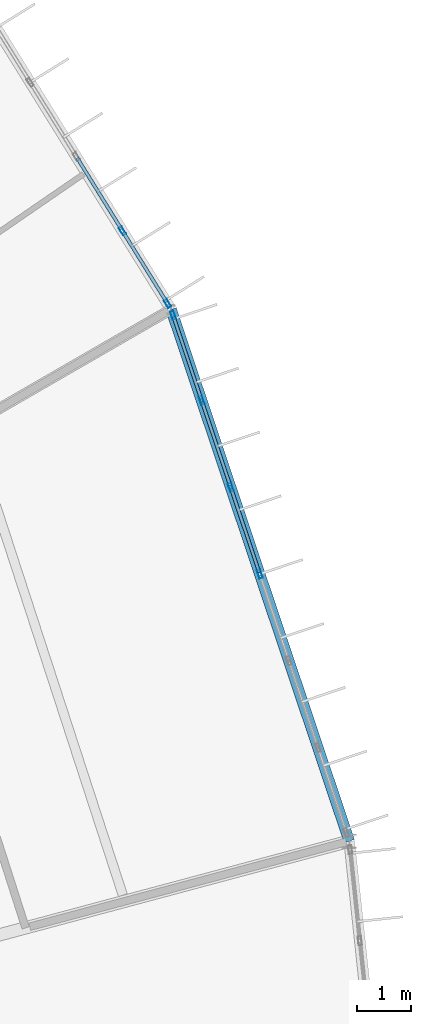
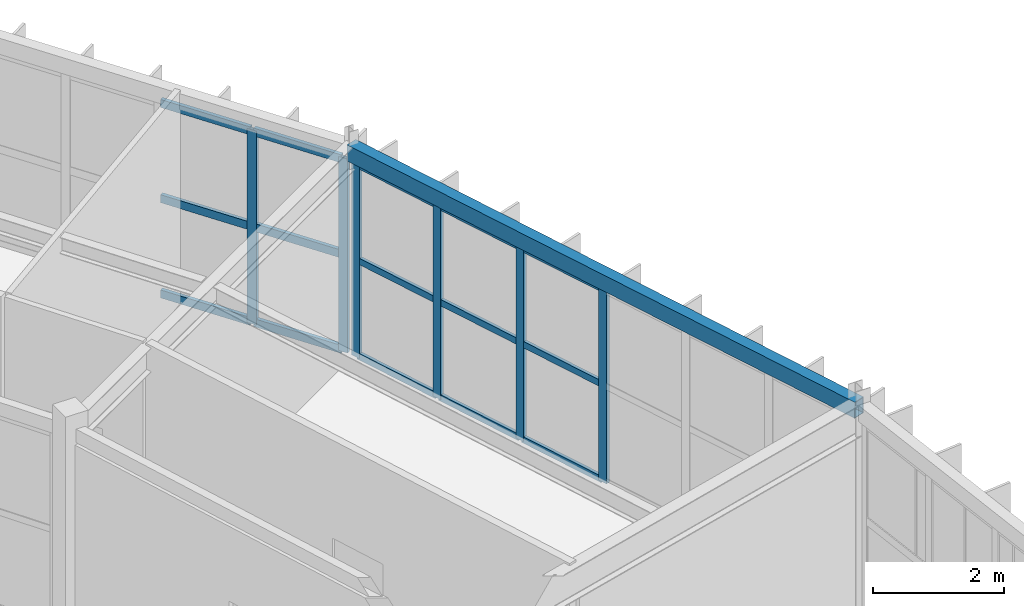
# One storey, part 77 of 134: 21 members, 1 beam, 2 elements without a shape of their own.
"""IFC4 building model written with IfcOpenShell, lengths in metres."""

from ifc_helpers import new_model, si_unit, direction, frame, origin, origin_2d, place, context, subcontext, project, spatial, hollow_rectangle, extrude, material, material_profile, profile_set, type_object, element, aggregate, save


model = new_model("IFC4")

# Units and contexts
model_context = context("Model", 3, precision=1e-05, world=origin(), true_north=direction((0.0, 1.0)))
body_context = subcontext(model_context, "Body", "Model", "MODEL_VIEW")
ifc_project = project(units=[si_unit("LENGTHUNIT", "METRE"), si_unit("AREAUNIT", "SQUARE_METRE"), si_unit("VOLUMEUNIT", "CUBIC_METRE"), si_unit("PLANEANGLEUNIT", "RADIAN"), si_unit("MASSUNIT", "GRAM", prefix="KILO")], contexts=[model_context])

# Site, building, storey
site_placement = place(None, origin())
site = spatial("IfcSite", under=ifc_project, at=site_placement, CompositionType="ELEMENT")
building_placement = place(site_placement, origin())
building = spatial("IfcBuilding", under=site, at=building_placement, Name="Karori Crest Natural Sciences Institute", CompositionType="ELEMENT")
storey_placement = place(building_placement, frame((0.0, 0.0, 21.699951171875)))
storey = spatial("IfcBuildingStorey", under=building, at=storey_placement, Name="L05", CompositionType="ELEMENT", Elevation=21.699951171875)

# Beam
ifc_material_1 = material(Name="Hollow structural steel AS/NZS 1163 Grade C350", Category="steel")
ifc_material_profile_1 = material_profile(ifc_material_1, hollow_rectangle(XDim=0.199951171875, YDim=0.300048828125, WallThickness=0.010009765625, at=origin_2d()), Name="RHS300x200x10")
ifc_profile_set_1 = profile_set([ifc_material_profile_1], Name="Hollow structural steel AS/NZS 1163 Grade C350")
beam_type = type_object("IfcBeamType", Name="BT-15", PredefinedType="SPANDREL", material=ifc_profile_set_1)
beam_placement = place(storey_placement, frame((98.275634765625, 60.459716796875, 3.7900390625), z_axis=(-0.317681238028, 0.948197569605, 0.0), x_axis=(-0.948197569605, -0.317681238028, 0.0)))
element("IfcBeam", 1, at=beam_placement, inside=storey, type_object=beam_type, Name="Beam B-0543", PredefinedType="SPANDREL", context=body_context, shape_type="SweptSolid", body=[
    extrude(hollow_rectangle(XDim=0.199951171875, YDim=0.300048828125, WallThickness=0.010009765625, at=origin_2d()), origin(), (0.0, 0.0, 1.0), 10.3779296875),
])

# Curtain wall, members
ifc_material_2 = material(Name="Anodised architectural aluminium 6063-T6", Category="aluminium")
curtain_wall_type_1 = type_object("IfcCurtainWallType", Name="CWT-02", PredefinedType="NOTDEFINED", material=ifc_material_2)
curtain_wall_1_placement = place(storey_placement, origin())
curtain_wall_1 = element("IfcCurtainWall", 2, at=curtain_wall_1_placement, inside=storey, type_object=curtain_wall_type_1, Name="Curtain wall CW-0174", PredefinedType="NOTDEFINED")
ifc_material_profile_2 = material_profile(ifc_material_2, hollow_rectangle(XDim=0.06494140625, YDim=0.159912109375, WallThickness=0.00390625, at=origin_2d()), Name="CWM160x65x4")
ifc_profile_set_2 = profile_set([ifc_material_profile_2], Name="Anodised architectural aluminium 6063-T6")
member_type_1 = type_object("IfcMemberType", Name="CWM-01", PredefinedType="MULLION", material=ifc_profile_set_2)
member_1_placement = place(storey_placement, frame((95.015625, 70.190185546875, 0.0), z_axis=(0.0, 0.0, 1.0), x_axis=(0.94819805026, 0.317679803392, 0.0)))
member_1 = element("IfcMember", 3, at=member_1_placement, type_object=member_type_1, Name="CW-0174 mullion 1", PredefinedType="MULLION", context=body_context, shape_type="SweptSolid", body=[
    extrude(hollow_rectangle(XDim=0.06494140625, YDim=0.159912109375, WallThickness=0.00390625, at=origin_2d()), origin(), (0.0, 0.0, 1.0), 3.625),
])
member_2_placement = place(storey_placement, frame((95.54345703125, 68.614990234375, 0.0), z_axis=(0.0, 0.0, 1.0), x_axis=(0.94819805026, 0.317679803392, 0.0)))
member_2 = element("IfcMember", 4, at=member_2_placement, type_object=member_type_1, Name="CW-0174 mullion 2", PredefinedType="MULLION", context=body_context, shape_type="SweptSolid", body=[
    extrude(hollow_rectangle(XDim=0.06494140625, YDim=0.159912109375, WallThickness=0.00390625, at=origin_2d()), origin(), (0.0, 0.0, 1.0), 3.625),
])
member_3_placement = place(storey_placement, frame((96.08154296875, 67.0087890625, 0.0), z_axis=(0.0, 0.0, 1.0), x_axis=(0.94819805026, 0.317679803392, 0.0)))
member_3 = element("IfcMember", 5, at=member_3_placement, type_object=member_type_1, Name="CW-0174 mullion 3", PredefinedType="MULLION", context=body_context, shape_type="SweptSolid", body=[
    extrude(hollow_rectangle(XDim=0.06494140625, YDim=0.159912109375, WallThickness=0.00390625, at=origin_2d()), origin(), (0.0, 0.0, 1.0), 3.625),
])
member_4_placement = place(storey_placement, frame((96.619384765625, 65.40283203125, 0.0), z_axis=(0.0, 0.0, 1.0), x_axis=(0.94819805026, 0.317679803392, 0.0)))
member_4 = element("IfcMember", 6, at=member_4_placement, type_object=member_type_1, Name="CW-0174 mullion 4", PredefinedType="MULLION", context=body_context, shape_type="SweptSolid", body=[
    extrude(hollow_rectangle(XDim=0.06494140625, YDim=0.159912109375, WallThickness=0.00390625, at=origin_2d()), origin(), (0.0, 0.0, 1.0), 3.625),
])

curtain_wall_type_2 = type_object("IfcCurtainWallType", Name="CWT-03", PredefinedType="NOTDEFINED", material=ifc_material_2)
curtain_wall_2_placement = place(storey_placement, origin())
curtain_wall_2 = element("IfcCurtainWall", 7, at=curtain_wall_2_placement, inside=storey, type_object=curtain_wall_type_2, Name="Curtain wall CW-0175", PredefinedType="NOTDEFINED")
member_5_placement = place(storey_placement, frame((94.076904296875, 71.7529296875, 0.0), z_axis=(0.0, 0.0, 1.0), x_axis=(0.849661985715, 0.527327706489, 0.0)))
member_5 = element("IfcMember", 8, at=member_5_placement, type_object=member_type_1, Name="CW-0175 mullion 6", PredefinedType="MULLION", context=body_context, shape_type="SweptSolid", body=[
    extrude(hollow_rectangle(XDim=0.06494140625, YDim=0.159912109375, WallThickness=0.00390625, at=origin_2d()), origin(), (0.0, 0.0, 1.0), 3.625),
])
member_6_placement = place(storey_placement, frame((94.912353515625, 70.406982421875, 0.0), z_axis=(0.0, 0.0, 1.0), x_axis=(0.849661985715, 0.527327706489, 0.0)))
member_6 = element("IfcMember", 9, at=member_6_placement, type_object=member_type_1, Name="CW-0175 mullion 7", PredefinedType="MULLION", context=body_context, shape_type="SweptSolid", body=[
    extrude(hollow_rectangle(XDim=0.06494140625, YDim=0.159912109375, WallThickness=0.00390625, at=origin_2d()), origin(), (0.0, 0.0, 1.0), 3.625),
])

# Member
ifc_material_profile_3 = material_profile(ifc_material_2, hollow_rectangle(XDim=0.06005859375, YDim=0.1201171875, WallThickness=0.00390625, at=origin_2d()), Name="CWT120x60x4")
ifc_profile_set_3 = profile_set([ifc_material_profile_3], Name="Anodised architectural aluminium 6063-T6")
member_type_2 = type_object("IfcMemberType", Name="CWT-TR1", PredefinedType="USERDEFINED", material=ifc_profile_set_3)
member_7_placement = place(storey_placement, frame((95.02587890625, 70.1591796875, 0.030029296875), z_axis=(0.317695793379, -0.9481926929, 0.0), x_axis=(0.9481926929, 0.317695793379, 0.0)))
member_7 = element("IfcMember", 10, at=member_7_placement, type_object=member_type_2, Name="CW-0174 transom 1.1", ObjectType="TRANSOM", PredefinedType="USERDEFINED", context=body_context, shape_type="SweptSolid", body=[
    extrude(hollow_rectangle(XDim=0.06005859375, YDim=0.1201171875, WallThickness=0.00390625, at=origin_2d()), origin(), (0.0, 0.0, 1.0), 1.59619140625),
])

member_8_placement = place(storey_placement, frame((95.02587890625, 70.1591796875, 1.8125), z_axis=(0.317695793379, -0.9481926929, 0.0), x_axis=(0.9481926929, 0.317695793379, 0.0)))
member_8 = element("IfcMember", 11, at=member_8_placement, type_object=member_type_2, Name="CW-0174 transom 1.2", ObjectType="TRANSOM", PredefinedType="USERDEFINED", context=body_context, shape_type="SweptSolid", body=[
    extrude(hollow_rectangle(XDim=0.06005859375, YDim=0.1201171875, WallThickness=0.00390625, at=origin_2d()), origin(), (0.0, 0.0, 1.0), 1.59619140625),
])

member_9_placement = place(storey_placement, frame((95.02587890625, 70.1591796875, 3.594970703125), z_axis=(0.317695793379, -0.9481926929, 0.0), x_axis=(0.9481926929, 0.317695793379, 0.0)))
member_9 = element("IfcMember", 12, at=member_9_placement, type_object=member_type_2, Name="CW-0174 transom 1.3", ObjectType="TRANSOM", PredefinedType="USERDEFINED", context=body_context, shape_type="SweptSolid", body=[
    extrude(hollow_rectangle(XDim=0.06005859375, YDim=0.1201171875, WallThickness=0.00390625, at=origin_2d()), origin(), (0.0, 0.0, 1.0), 1.59619140625),
])

member_10_placement = place(storey_placement, frame((95.5537109375, 68.583984375, 0.030029296875), z_axis=(0.317666571129, -0.948202483432, 0.0), x_axis=(0.948202483432, 0.317666571129, 0.0)))
member_10 = element("IfcMember", 13, at=member_10_placement, type_object=member_type_2, Name="CW-0174 transom 2.1", ObjectType="TRANSOM", PredefinedType="USERDEFINED", context=body_context, shape_type="SweptSolid", body=[
    extrude(hollow_rectangle(XDim=0.06005859375, YDim=0.1201171875, WallThickness=0.00390625, at=origin_2d()), origin(), (0.0, 0.0, 1.0), 1.628662109375),
])

member_11_placement = place(storey_placement, frame((95.5537109375, 68.583984375, 1.8125), z_axis=(0.317666571129, -0.948202483432, 0.0), x_axis=(0.948202483432, 0.317666571129, 0.0)))
member_11 = element("IfcMember", 14, at=member_11_placement, type_object=member_type_2, Name="CW-0174 transom 2.2", ObjectType="TRANSOM", PredefinedType="USERDEFINED", context=body_context, shape_type="SweptSolid", body=[
    extrude(hollow_rectangle(XDim=0.06005859375, YDim=0.1201171875, WallThickness=0.00390625, at=origin_2d()), origin(), (0.0, 0.0, 1.0), 1.628662109375),
])

member_12_placement = place(storey_placement, frame((95.5537109375, 68.583984375, 3.594970703125), z_axis=(0.317666571129, -0.948202483432, 0.0), x_axis=(0.948202483432, 0.317666571129, 0.0)))
member_12 = element("IfcMember", 15, at=member_12_placement, type_object=member_type_2, Name="CW-0174 transom 2.3", ObjectType="TRANSOM", PredefinedType="USERDEFINED", context=body_context, shape_type="SweptSolid", body=[
    extrude(hollow_rectangle(XDim=0.06005859375, YDim=0.1201171875, WallThickness=0.00390625, at=origin_2d()), origin(), (0.0, 0.0, 1.0), 1.628662109375),
])

member_13_placement = place(storey_placement, frame((96.091796875, 66.97802734375, 0.030029296875), z_axis=(0.317666571129, -0.948202483432, 0.0), x_axis=(0.948202483432, 0.317666571129, 0.0)))
member_13 = element("IfcMember", 16, at=member_13_placement, type_object=member_type_2, Name="CW-0174 transom 3.1", ObjectType="TRANSOM", PredefinedType="USERDEFINED", context=body_context, shape_type="SweptSolid", body=[
    extrude(hollow_rectangle(XDim=0.06005859375, YDim=0.1201171875, WallThickness=0.00390625, at=origin_2d()), origin(), (0.0, 0.0, 1.0), 1.628662109375),
])

member_14_placement = place(storey_placement, frame((96.091796875, 66.97802734375, 1.8125), z_axis=(0.317666571129, -0.948202483432, 0.0), x_axis=(0.948202483432, 0.317666571129, 0.0)))
member_14 = element("IfcMember", 17, at=member_14_placement, type_object=member_type_2, Name="CW-0174 transom 3.2", ObjectType="TRANSOM", PredefinedType="USERDEFINED", context=body_context, shape_type="SweptSolid", body=[
    extrude(hollow_rectangle(XDim=0.06005859375, YDim=0.1201171875, WallThickness=0.00390625, at=origin_2d()), origin(), (0.0, 0.0, 1.0), 1.628662109375),
])

member_15_placement = place(storey_placement, frame((96.091796875, 66.97802734375, 3.594970703125), z_axis=(0.317666571129, -0.948202483432, 0.0), x_axis=(0.948202483432, 0.317666571129, 0.0)))
member_15 = element("IfcMember", 18, at=member_15_placement, type_object=member_type_2, Name="CW-0174 transom 3.3", ObjectType="TRANSOM", PredefinedType="USERDEFINED", context=body_context, shape_type="SweptSolid", body=[
    extrude(hollow_rectangle(XDim=0.06005859375, YDim=0.1201171875, WallThickness=0.00390625, at=origin_2d()), origin(), (0.0, 0.0, 1.0), 1.628662109375),
])

aggregate(curtain_wall_1, [member_1, member_2, member_3, member_4, member_7, member_8, member_9, member_10, member_11, member_12, member_13, member_14, member_15])

ifc_material_profile_4 = material_profile(ifc_material_2, hollow_rectangle(XDim=0.06494140625, YDim=0.14990234375, WallThickness=0.00390625, at=origin_2d()), Name="CWT150x65x4")
ifc_profile_set_4 = profile_set([ifc_material_profile_4], Name="Anodised architectural aluminium 6063-T6")
member_type_3 = type_object("IfcMemberType", Name="CWT-TR2", PredefinedType="USERDEFINED", material=ifc_profile_set_4)
member_16_placement = place(storey_placement, frame((93.241455078125, 73.09912109375, 0.032470703125), z_axis=(0.5273941938, -0.849620717936, 0.0), x_axis=(0.849620717936, 0.5273941938, 0.0)))
member_16 = element("IfcMember", 19, at=member_16_placement, type_object=member_type_3, Name="CW-0175 transom 5.1", ObjectType="TRANSOM", PredefinedType="USERDEFINED", context=body_context, shape_type="SweptSolid", body=[
    extrude(hollow_rectangle(XDim=0.06494140625, YDim=0.14990234375, WallThickness=0.00390625, at=origin_2d()), origin(), (0.0, 0.0, 1.0), 1.5517578125),
])

member_17_placement = place(storey_placement, frame((93.241455078125, 73.09912109375, 1.8125), z_axis=(0.5273941938, -0.849620717936, 0.0), x_axis=(0.849620717936, 0.5273941938, 0.0)))
member_17 = element("IfcMember", 20, at=member_17_placement, type_object=member_type_3, Name="CW-0175 transom 5.2", ObjectType="TRANSOM", PredefinedType="USERDEFINED", context=body_context, shape_type="SweptSolid", body=[
    extrude(hollow_rectangle(XDim=0.06494140625, YDim=0.14990234375, WallThickness=0.00390625, at=origin_2d()), origin(), (0.0, 0.0, 1.0), 1.5517578125),
])

member_18_placement = place(storey_placement, frame((93.241455078125, 73.09912109375, 3.592529296875), z_axis=(0.5273941938, -0.849620717936, 0.0), x_axis=(0.849620717936, 0.5273941938, 0.0)))
member_18 = element("IfcMember", 21, at=member_18_placement, type_object=member_type_3, Name="CW-0175 transom 5.3", ObjectType="TRANSOM", PredefinedType="USERDEFINED", context=body_context, shape_type="SweptSolid", body=[
    extrude(hollow_rectangle(XDim=0.06494140625, YDim=0.14990234375, WallThickness=0.00390625, at=origin_2d()), origin(), (0.0, 0.0, 1.0), 1.5517578125),
])

member_19_placement = place(storey_placement, frame((94.09423828125, 71.725341796875, 0.032470703125), z_axis=(0.52729485079, -0.849682376144, 0.0), x_axis=(0.849682376144, 0.52729485079, 0.0)))
member_19 = element("IfcMember", 22, at=member_19_placement, type_object=member_type_3, Name="CW-0175 transom 6.1", ObjectType="TRANSOM", PredefinedType="USERDEFINED", context=body_context, shape_type="SweptSolid", body=[
    extrude(hollow_rectangle(XDim=0.06494140625, YDim=0.14990234375, WallThickness=0.00390625, at=origin_2d()), origin(), (0.0, 0.0, 1.0), 1.51904296875),
])

member_20_placement = place(storey_placement, frame((94.09423828125, 71.725341796875, 1.8125), z_axis=(0.52729485079, -0.849682376144, 0.0), x_axis=(0.849682376144, 0.52729485079, 0.0)))
member_20 = element("IfcMember", 23, at=member_20_placement, type_object=member_type_3, Name="CW-0175 transom 6.2", ObjectType="TRANSOM", PredefinedType="USERDEFINED", context=body_context, shape_type="SweptSolid", body=[
    extrude(hollow_rectangle(XDim=0.06494140625, YDim=0.14990234375, WallThickness=0.00390625, at=origin_2d()), origin(), (0.0, 0.0, 1.0), 1.51904296875),
])

member_21_placement = place(storey_placement, frame((94.09423828125, 71.725341796875, 3.592529296875), z_axis=(0.52729485079, -0.849682376144, 0.0), x_axis=(0.849682376144, 0.52729485079, 0.0)))
member_21 = element("IfcMember", 24, at=member_21_placement, type_object=member_type_3, Name="CW-0175 transom 6.3", ObjectType="TRANSOM", PredefinedType="USERDEFINED", context=body_context, shape_type="SweptSolid", body=[
    extrude(hollow_rectangle(XDim=0.06494140625, YDim=0.14990234375, WallThickness=0.00390625, at=origin_2d()), origin(), (0.0, 0.0, 1.0), 1.51904296875),
])

aggregate(curtain_wall_2, [member_5, member_6, member_16, member_17, member_18, member_19, member_20, member_21])

save(model, "model.ifc")
